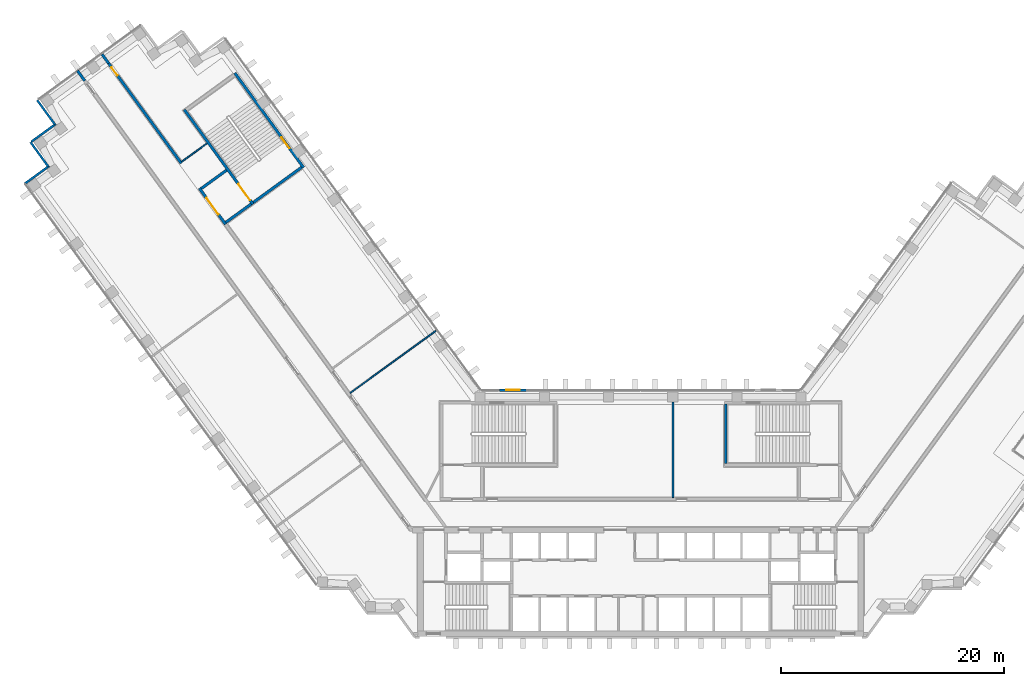
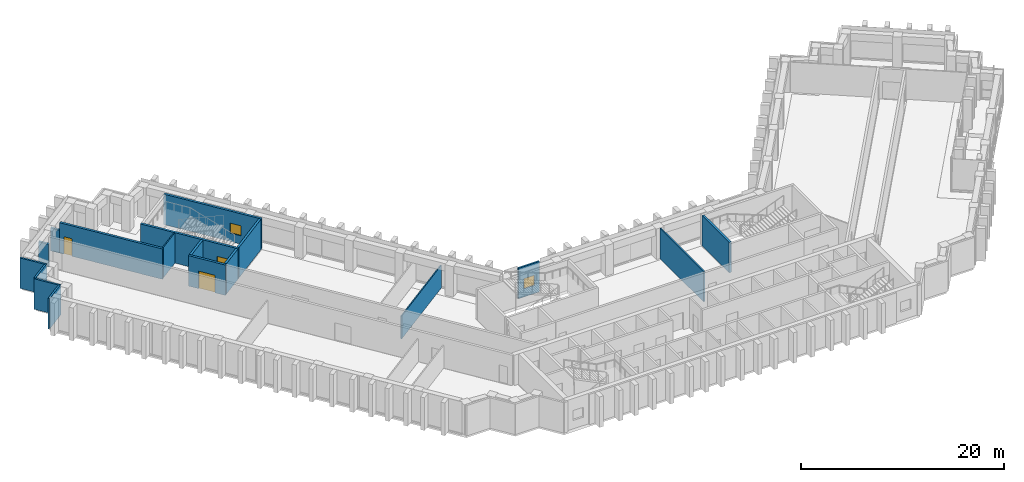
# One storey, part 8 of 14: 18 walls, 3 doors, 2 windows, 5 openings.
"""IFC4 building model written with IfcOpenShell, lengths in metres."""

from ifc_helpers import new_model, si_unit, direction, frame, frame_2d, origin, place, context, subcontext, project, spatial, rectangle, extrude, material, layer, layer_set, type_object, element, fill, save


model = new_model("IFC4")

# Units and contexts
model_context = context("Model", 3, precision=1e-05, world=origin(), true_north=direction((0.0, 1.0)))
body_context = subcontext(model_context, "Body", "Model", "MODEL_VIEW")
ifc_project = project(units=[si_unit("LENGTHUNIT", "METRE"), si_unit("AREAUNIT", "SQUARE_METRE"), si_unit("VOLUMEUNIT", "CUBIC_METRE"), si_unit("PLANEANGLEUNIT", "RADIAN"), si_unit("MASSUNIT", "GRAM", prefix="KILO")], contexts=[model_context])

# Site, building, storey
site_placement = place(None, origin())
site = spatial("IfcSite", under=ifc_project, at=site_placement, CompositionType="ELEMENT")
building_placement = place(site_placement, origin())
building = spatial("IfcBuilding", under=site, at=building_placement, Name="Quipu Civic Tower", CompositionType="ELEMENT")
storey_placement = place(building_placement, frame((0.0, 0.0, 93.0)))
storey = spatial("IfcBuildingStorey", under=building, at=storey_placement, Name="L21", CompositionType="ELEMENT", Elevation=93.0)

# Walls
ifc_material_1 = material(Name="Double gypsum plasterboard with mineral wool")
ifc_layer_1 = layer(ifc_material_1, 0.14990234375)
ifc_layer_set_1 = layer_set([ifc_layer_1], Name="Double gypsum plasterboard with mineral wool")
wall_type_1 = type_object("IfcWallType", Name="Acoustic partition 150 plasterboard", PredefinedType="PARTITIONING", material=ifc_layer_set_1)
wall_1_placement = place(storey_placement, frame((2.89892578125, 10.044921875, 0.0), z_axis=(0.0, 0.0, 1.0), x_axis=(0.0, -1.0, 0.0)))
element("IfcWall", 1, at=wall_1_placement, inside=storey, type_object=wall_type_1, Name="Partition P01", PredefinedType="PARTITIONING", context=body_context, shape_type="SweptSolid", body=[
    extrude(rectangle(XDim=8.594970703125, YDim=0.14990234375, at=frame_2d((4.29736328125, 0.0))), origin(), (0.0, 0.0, 1.0), 3.64990234375),
])
ifc_material_2 = material(Name="Concrete C70/85", Category="concrete")
ifc_layer_2 = layer(ifc_material_2, 0.25)
ifc_layer_set_2 = layer_set([ifc_layer_2], Name="Concrete C70/85")
wall_type_2 = type_object("IfcWallType", Name="Core wall 250", PredefinedType="SHEAR", material=ifc_layer_set_2)
wall_2_placement = place(storey_placement, frame((7.625, 4.5, 0.0), z_axis=(0.0, 0.0, 1.0), x_axis=(0.0, 1.0, 0.0)))
element("IfcWall", 2, at=wall_2_placement, inside=storey, type_object=wall_type_2, Name="Core wall", PredefinedType="SHEAR", context=body_context, shape_type="SweptSolid", body=[
    extrude(rectangle(XDim=5.35009765625, YDim=0.25, at=frame_2d((2.675048828125, 0.0))), origin(), (0.0, 0.0, 1.0), 3.64990234375),
])

# Wall, opening, window
wall_3_placement = place(storey_placement, frame((-30.239501953125, 31.06396484375, 0.0), z_axis=(0.0, 0.0, 1.0), x_axis=(-0.587795589702, 0.809009483706, 0.0)))
wall_3 = element("IfcWall", 3, at=wall_3_placement, inside=storey, type_object=wall_type_2, Name="Core wall", PredefinedType="SHEAR", context=body_context, shape_type="SweptSolid", body=[
    extrude(rectangle(XDim=10.5, YDim=0.25, at=frame_2d((5.25, 0.0))), origin(), (0.0, 0.0, 1.0), 3.64990234375),
])
opening_1_placement = place(wall_3_placement, frame((2.14990234375, 0.0, 1.0)))
opening_1 = element("IfcOpeningElement", 4, at=opening_1_placement, cuts=wall_3, Name="Opening SV-6", PredefinedType="OPENING", context=body_context, shape_type="SweptSolid", body=[
    extrude(rectangle(XDim=1.199951171875, YDim=1.199951171875, at=frame_2d((0.60009765625, 0.60009765625))), frame((0.0, 0.135009765625, 0.0), z_axis=(0.0, -1.0, 0.0), x_axis=(1.0, 0.0, 0.0)), (0.0, 0.0, 1.0), 0.27001953125),
])
ifc_material_3 = material(Name="Aluminium louvre", Category="aluminium")
window_type_1 = type_object("IfcWindowType", Name="Stair ventilation louvre 1200 x 1200", PartitioningType="SINGLE_PANEL", PredefinedType="WINDOW", material=ifc_material_3)
window_1_placement = place(opening_1_placement, origin())
window_1 = element("IfcWindow", 5, at=window_1_placement, inside=storey, type_object=window_type_1, Name="Stair ventilation opening", OverallHeight=1.199951171875, OverallWidth=1.199951171875, PartitioningType="SINGLE_PANEL", PredefinedType="WINDOW", context=body_context, shape_type="SweptSolid", body=[
    extrude(rectangle(XDim=1.199951171875, YDim=1.199951171875, at=frame_2d((0.60009765625, 0.60009765625))), frame((0.0, 0.030029296875, 0.0), z_axis=(0.0, -1.0, 0.0), x_axis=(1.0, 0.0, 0.0)), (0.0, 0.0, 1.0), 0.06005859375),
])
fill(opening_1, window_1)

# Wall
wall_4_placement = place(storey_placement, frame((-30.414306640625, 31.091796875, 0.0), z_axis=(0.0, 0.0, 1.0), x_axis=(-0.8089984606, -0.587810760999, 0.0)))
element("IfcWall", 6, at=wall_4_placement, inside=storey, type_object=wall_type_2, Name="Core wall", PredefinedType="SHEAR", context=body_context, shape_type="SweptSolid", body=[
    extrude(rectangle(XDim=5.35009765625, YDim=0.25, at=frame_2d((2.675048828125, 0.0))), origin(), (0.0, 0.0, 1.0), 3.64990234375),
])

# Wall, opening, door
wall_5_placement = place(storey_placement, frame((-40.94189453125, 36.26708984375, 0.0), z_axis=(0.0, 0.0, 1.0), x_axis=(0.587795589702, -0.809009483706, 0.0)))
wall_5 = element("IfcWall", 7, at=wall_5_placement, inside=storey, type_object=wall_type_2, Name="Core wall", PredefinedType="SHEAR", context=body_context, shape_type="SweptSolid", body=[
    extrude(rectangle(XDim=10.5, YDim=0.25, at=frame_2d((5.25, 0.0))), origin(), (0.0, 0.0, 1.0), 3.64990234375),
])
opening_2_placement = place(wall_5_placement, frame((8.25, 0.0, 0.0)))
opening_2 = element("IfcOpeningElement", 8, at=opening_2_placement, cuts=wall_5, Name="Opening CD-19", PredefinedType="OPENING", context=body_context, shape_type="SweptSolid", body=[
    extrude(rectangle(XDim=1.800048828125, YDim=2.10009765625, at=frame_2d((0.89990234375, 1.050048828125))), frame((0.0, 0.135009765625, 0.0), z_axis=(0.0, -1.0, 0.0), x_axis=(1.0, 0.0, 0.0)), (0.0, 0.0, 1.0), 0.27001953125),
])
ifc_material_4 = material(Name="Fire rated steel door", Category="steel")
door_type_1 = type_object("IfcDoorType", Name="Fire door FD90 double 1800 x 2100", OperationType="NOTDEFINED", PredefinedType="DOOR", material=ifc_material_4)
door_1_placement = place(opening_2_placement, origin())
door_1 = element("IfcDoor", 9, at=door_1_placement, inside=storey, type_object=door_type_1, Name="Door", OperationType="DOUBLE_DOOR_SINGLE_SWING", OverallHeight=2.10009765625, OverallWidth=1.800048828125, PredefinedType="DOOR", context=body_context, shape_type="SweptSolid", body=[
    extrude(rectangle(XDim=1.800048828125, YDim=2.10009765625, at=frame_2d((0.89990234375, 1.050048828125))), frame((0.0, 0.02490234375, 0.0), z_axis=(0.0, -1.0, 0.0), x_axis=(1.0, 0.0, 0.0)), (0.0, 0.0, 1.0), 0.050048828125),
])
fill(opening_2, door_1)

# Walls
for number, where, z_axis, x_axis, name in (
    (10, (-34.944580078125, 27.800048828125, 0.0), (0.0, 0.0, 1.0), (-0.809041377956, -0.587751689708, 0.0), "Core wall"),
    (11, (-37.14892578125, 30.833984375, 0.0), (0.0, 0.0, 1.0), (-0.808969789945, -0.58785021813, 0.0), "Core wall"),
):
    element("IfcWall", number, at=place(storey_placement, frame(where, z_axis=z_axis, x_axis=x_axis)), inside=storey, type_object=wall_type_2, Name=name, PredefinedType="SHEAR", context=body_context, shape_type="SweptSolid", body=[
        extrude(rectangle(XDim=2.800048828125, YDim=0.25, at=frame_2d((1.39990234375, 0.0))), origin(), (0.0, 0.0, 1.0), 3.64990234375),
    ])

# Wall, opening, door
wall_6_placement = place(storey_placement, frame((-39.588623046875, 29.2158203125, 0.0), z_axis=(0.0, 0.0, 1.0), x_axis=(0.587772420479, -0.809026317077, 0.0)))
wall_6 = element("IfcWall", 12, at=wall_6_placement, inside=storey, type_object=wall_type_2, Name="Core wall", PredefinedType="SHEAR", context=body_context, shape_type="SweptSolid", body=[
    extrude(rectangle(XDim=4.0, YDim=0.25, at=frame_2d((2.0, 0.0))), origin(), (0.0, 0.0, 1.0), 3.64990234375),
])
opening_3_placement = place(wall_6_placement, frame((1.10009765625, 0.0, 0.0)))
opening_3 = element("IfcOpeningElement", 13, at=opening_3_placement, cuts=wall_6, Name="Opening CD-20", PredefinedType="OPENING", context=body_context, shape_type="SweptSolid", body=[
    extrude(rectangle(XDim=1.800048828125, YDim=2.10009765625, at=frame_2d((0.89990234375, 1.050048828125))), frame((0.0, 0.135009765625, 0.0), z_axis=(0.0, -1.0, 0.0), x_axis=(1.0, 0.0, 0.0)), (0.0, 0.0, 1.0), 0.27001953125),
])
door_2_placement = place(opening_3_placement, origin())
door_2 = element("IfcDoor", 14, at=door_2_placement, inside=storey, type_object=door_type_1, Name="Lobby door", OperationType="DOUBLE_DOOR_SINGLE_SWING", OverallHeight=2.10009765625, OverallWidth=1.800048828125, PredefinedType="DOOR", context=body_context, shape_type="SweptSolid", body=[
    extrude(rectangle(XDim=1.800048828125, YDim=2.10009765625, at=frame_2d((0.89990234375, 1.050048828125))), frame((0.0, 0.02490234375, 0.0), z_axis=(0.0, -1.0, 0.0), x_axis=(1.0, 0.0, 0.0)), (0.0, 0.0, 1.0), 0.050048828125),
])
fill(opening_3, door_2)

ifc_material_5 = material(Name="Concrete C50/60", Category="concrete")
ifc_layer_3 = layer(ifc_material_5, 0.25)
ifc_layer_set_3 = layer_set([ifc_layer_3], Name="Concrete C50/60")
wall_type_3 = type_object("IfcWallType", Name="Corridor wall 250 concrete", PredefinedType="SOLIDWALL", material=ifc_layer_set_3)
wall_7_placement = place(storey_placement, frame((-47.724853515625, 40.414306640625, 0.0), z_axis=(0.0, 0.0, 1.0), x_axis=(0.587773291021, -0.809025684612, 0.0)))
wall_7 = element("IfcWall", 15, at=wall_7_placement, inside=storey, type_object=wall_type_3, Name="Corridor wall C02", PredefinedType="SOLIDWALL", context=body_context, shape_type="SweptSolid", body=[
    extrude(rectangle(XDim=11.07861328125, YDim=0.25, at=frame_2d((5.539306640625, 0.0))), origin(), (0.0, 0.0, 1.0), 3.64990234375),
])
opening_4_placement = place(wall_7_placement, frame((0.442138671875, 0.0, 0.0)))
opening_4 = element("IfcOpeningElement", 16, at=opening_4_placement, cuts=wall_7, Name="Opening D008", PredefinedType="OPENING", context=body_context, shape_type="SweptSolid", body=[
    extrude(rectangle(XDim=0.89990234375, YDim=2.10009765625, at=frame_2d((0.449951171875, 1.050048828125))), frame((0.0, 0.135009765625, 0.0), z_axis=(0.0, -1.0, 0.0), x_axis=(1.0, 0.0, 0.0)), (0.0, 0.0, 1.0), 0.27001953125),
])
ifc_material_6 = material(Name="Fire rated timber door set with metal frame", Category="wood")
door_type_2 = type_object("IfcDoorType", Name="Single door 900 x 2100 FD60", OperationType="NOTDEFINED", PredefinedType="DOOR", material=ifc_material_6)
door_3_placement = place(opening_4_placement, origin())
door_3 = element("IfcDoor", 17, at=door_3_placement, inside=storey, type_object=door_type_2, Name="Door D008", OperationType="SINGLE_SWING_LEFT", OverallHeight=2.10009765625, OverallWidth=0.89990234375, PredefinedType="DOOR", context=body_context, shape_type="SweptSolid", body=[
    extrude(rectangle(XDim=0.89990234375, YDim=2.10009765625, at=frame_2d((0.449951171875, 1.050048828125))), frame((0.0, 0.02490234375, 0.0), z_axis=(0.0, -1.0, 0.0), x_axis=(1.0, 0.0, 0.0)), (0.0, 0.0, 1.0), 0.050048828125),
])
fill(opening_4, door_3)

# Walls
wall_8_placement = place(storey_placement, frame((-49.86865234375, 38.8564453125, 0.0), z_axis=(0.0, 0.0, 1.0), x_axis=(-0.587674273289, 0.809097613712, 0.0)))
element("IfcWall", 18, at=wall_8_placement, inside=storey, type_object=wall_type_3, Name="Corridor wall C01", PredefinedType="SOLIDWALL", context=body_context, shape_type="SweptSolid", body=[
    extrude(rectangle(XDim=1.109130859375, YDim=0.25, at=frame_2d((0.5546875, 0.0))), origin(), (0.0, 0.0, 1.0), 2.75),
])
wall_9_placement = place(storey_placement, frame((-47.724853515625, 40.414306640625, 0.0), z_axis=(0.0, 0.0, 1.0), x_axis=(-0.587840411638, 0.808976915892, 0.0)))
element("IfcWall", 19, at=wall_9_placement, inside=storey, type_object=wall_type_3, Name="Corridor wall C02", PredefinedType="SOLIDWALL", context=body_context, shape_type="SweptSolid", body=[
    extrude(rectangle(XDim=1.008056640625, YDim=0.25, at=frame_2d((0.50390625, 0.0))), origin(), (0.0, 0.0, 1.0), 2.75),
])
ifc_material_7 = material(Name="Gypsum plasterboard on light gauge framing")
ifc_layer_4 = layer(ifc_material_7, 0.1201171875)
ifc_layer_set_4 = layer_set([ifc_layer_4], Name="Gypsum plasterboard on light gauge framing")
wall_type_4 = type_object("IfcWallType", Name="Partition 120 plasterboard", PredefinedType="PARTITIONING", material=ifc_layer_set_4)
wall_10_placement = place(storey_placement, frame((-18.350830078125, 16.444580078125, 0.0), z_axis=(0.0, 0.0, 1.0), x_axis=(-0.809052142986, -0.587736871338, 0.0)))
element("IfcWall", 20, at=wall_10_placement, inside=storey, type_object=wall_type_4, Name="Partition P02", PredefinedType="PARTITIONING", context=body_context, shape_type="SweptSolid", body=[
    extrude(rectangle(XDim=9.5498046875, YDim=0.1201171875, at=frame_2d((4.77490234375, 0.0))), origin(), (0.0, 0.0, 1.0), 2.75),
])
wall_11_placement = place(storey_placement, frame((-41.166015625, 31.59912109375, 0.0), z_axis=(0.0, 0.0, 1.0), x_axis=(0.809090262332, 0.587684394381, 0.0)))
element("IfcWall", 21, at=wall_11_placement, inside=storey, type_object=wall_type_4, Name="Partition P09", PredefinedType="PARTITIONING", context=body_context, shape_type="SweptSolid", body=[
    extrude(rectangle(XDim=2.80078125, YDim=0.1201171875, at=frame_2d((1.400390625, 0.0))), origin(), (0.0, 0.0, 1.0), 3.64990234375),
])

# Wall, opening, window
ifc_material_8 = material(Name="Precast concrete C40/50", Category="concrete")
wall_type_5 = type_object("IfcWallType", Name="Precast cladding wall", PredefinedType="SOLIDWALL", material=ifc_material_8)
wall_12_placement = place(storey_placement, frame((-10.263427734375, 11.10009765625, 0.0), z_axis=(0.0, 0.0, 1.0), x_axis=(-1.0, 0.0, 0.0)))
wall_12 = element("IfcWall", 22, at=wall_12_placement, inside=storey, type_object=wall_type_5, Name="Vent surround SF-L19-1", PredefinedType="SOLIDWALL", context=body_context, shape_type="SweptSolid", body=[
    extrude(rectangle(XDim=2.3916015625, YDim=0.199951171875, at=frame_2d((1.19580078125, 0.0))), origin(), (0.0, 0.0, 1.0), 3.64990234375),
])
opening_5_placement = place(wall_12_placement, frame((0.595703125, 0.0, 1.0)))
opening_5 = element("IfcOpeningElement", 23, at=opening_5_placement, cuts=wall_12, Name="Opening SF-L19-1", PredefinedType="OPENING", context=body_context, shape_type="SweptSolid", body=[
    extrude(rectangle(XDim=1.199951171875, YDim=1.199951171875, at=frame_2d((0.60009765625, 0.60009765625))), frame((0.0, 0.10986328125, 0.0), z_axis=(0.0, -1.0, 0.0), x_axis=(1.0, 0.0, 0.0)), (0.0, 0.0, 1.0), 0.219970703125),
])
ifc_material_9 = material(Name="Anodised aluminium louvre", Category="aluminium")
window_type_2 = type_object("IfcWindowType", Name="Stair vent louvre window P3", PartitioningType="SINGLE_PANEL", PredefinedType="WINDOW", material=ifc_material_9)
window_2_placement = place(opening_5_placement, origin())
window_2 = element("IfcWindow", 24, at=window_2_placement, inside=storey, type_object=window_type_2, Name="Stair vent louvre SF-L19-1", OverallHeight=1.199951171875, OverallWidth=1.199951171875, PartitioningType="SINGLE_PANEL", PredefinedType="WINDOW", context=body_context, shape_type="SweptSolid", body=[
    extrude(rectangle(XDim=1.199951171875, YDim=1.199951171875, at=frame_2d((0.60009765625, 0.60009765625))), frame((0.0, 0.030029296875, 0.0), z_axis=(0.0, -1.0, 0.0), x_axis=(1.0, 0.0, 0.0)), (0.0, 0.0, 1.0), 0.06005859375),
])
fill(opening_5, window_2)

# Walls
for number, where, z_axis, x_axis, name in (
    (25, (-54.140380859375, 37.12255859375, 0.0), (0.0, 0.0, 1.0), (0.587822180636, -0.808990163075, 0.0), "Precast cladding wall L21 P19"),
    (26, (-52.46533203125, 34.9873046875, 0.0), (0.0, 0.0, 1.0), (-0.809033161865, -0.587762999008, 0.0), "Precast cladding wall L21 P20"),
):
    element("IfcWall", number, at=place(storey_placement, frame(where, z_axis=z_axis, x_axis=x_axis)), inside=storey, type_object=wall_type_5, Name=name, PredefinedType="SOLIDWALL", context=body_context, shape_type="SweptSolid", body=[
        extrude(rectangle(XDim=2.699951171875, YDim=0.199951171875, at=frame_2d((1.35009765625, 0.0))), origin(), (0.0, 0.0, 1.0), 3.64990234375),
    ])
wall_13_placement = place(storey_placement, frame((-54.73779296875, 33.351318359375, 0.0), z_axis=(0.0, 0.0, 1.0), x_axis=(0.587779184282, -0.809021403008, 0.0)))
element("IfcWall", 27, at=wall_13_placement, inside=storey, type_object=wall_type_5, Name="Precast cladding wall L21 P21", PredefinedType="SOLIDWALL", context=body_context, shape_type="SweptSolid", body=[
    extrude(rectangle(XDim=2.7001953125, YDim=0.199951171875, at=frame_2d((1.35009765625, 0.0))), origin(), (0.0, 0.0, 1.0), 3.64990234375),
])
wall_14_placement = place(storey_placement, frame((-53.062744140625, 31.2158203125, 0.0), z_axis=(0.0, 0.0, 1.0), x_axis=(-0.809033161865, -0.587762999008, 0.0)))
element("IfcWall", 28, at=wall_14_placement, inside=storey, type_object=wall_type_5, Name="Precast cladding wall L21 P22", PredefinedType="SOLIDWALL", context=body_context, shape_type="SweptSolid", body=[
    extrude(rectangle(XDim=2.699951171875, YDim=0.199951171875, at=frame_2d((1.35009765625, 0.0))), origin(), (0.0, 0.0, 1.0), 3.64990234375),
])

save(model, "model.ifc")
